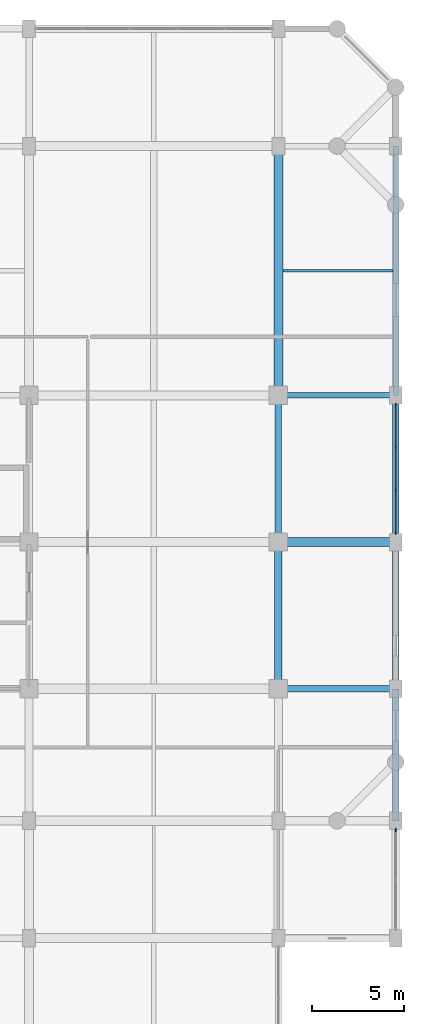
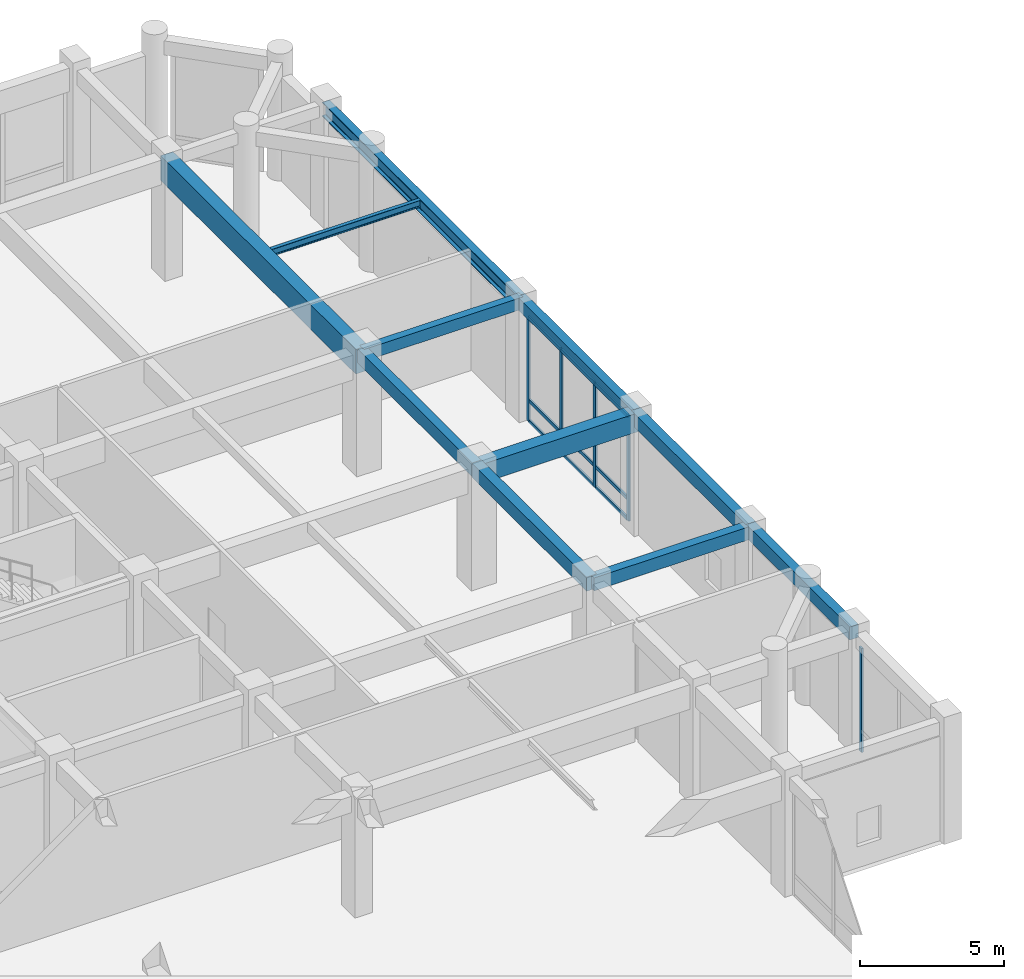
# One storey, part 16 of 36: 14 members, 11 beams, 2 elements without a shape of their own.
"""IFC4 building model written with IfcOpenShell, lengths in metres."""

from ifc_helpers import new_model, si_unit, direction, frame, origin, origin_2d, place, context, subcontext, project, spatial, rectangle, i_section, extrude, material, material_profile, profile_set, type_object, element, aggregate, save


model = new_model("IFC4")

# Units and contexts
model_context = context("Model", 3, precision=1e-05, world=origin(), true_north=direction((0.0, 1.0)))
body_context = subcontext(model_context, "Body", "Model", "MODEL_VIEW")
ifc_project = project(units=[si_unit("LENGTHUNIT", "METRE"), si_unit("AREAUNIT", "SQUARE_METRE"), si_unit("VOLUMEUNIT", "CUBIC_METRE"), si_unit("PLANEANGLEUNIT", "RADIAN"), si_unit("MASSUNIT", "GRAM", prefix="KILO")], contexts=[model_context])

# Site, building, storey
site_placement = place(None, origin())
site = spatial("IfcSite", under=ifc_project, at=site_placement, CompositionType="ELEMENT")
building_placement = place(site_placement, origin())
building = spatial("IfcBuilding", under=site, at=building_placement, Name="Vellmiral Cinema and Media Centre", CompositionType="ELEMENT")
storey_placement = place(building_placement, frame((0.0, 0.0, 5.39990234375)))
storey = spatial("IfcBuildingStorey", under=building, at=storey_placement, Name="L01", CompositionType="ELEMENT", Elevation=5.39990234375)

# Beams
ifc_material_1 = material(Name="Concrete C40/50", Category="concrete")
ifc_material_profile_1 = material_profile(ifc_material_1, rectangle(XDim=0.300048828125, YDim=0.5, at=origin_2d()), Name="RC 300x500")
ifc_profile_set_1 = profile_set([ifc_material_profile_1], Name="Concrete C40/50")
beam_type_1 = type_object("IfcBeamType", Name="BM-RC-300x500", PredefinedType="BEAM", material=ifc_profile_set_1)
beam_1_placement = place(storey_placement, frame((161.60009765625, 95.199951171875, 4.78515625), z_axis=(1.0, 0.0, 0.0), x_axis=(0.0, 1.0, 0.0)))
element("IfcBeam", 1, at=beam_1_placement, inside=storey, type_object=beam_type_1, Name="Grid Beam L01-X160", PredefinedType="BEAM", context=body_context, shape_type="SweptSolid", body=[
    extrude(rectangle(XDim=0.300048828125, YDim=0.5, at=origin_2d()), origin(), (0.0, 0.0, 1.0), 6.39990234375),
])
ifc_material_2 = material(Name="Concrete C40/50", Category="concrete")
ifc_material_profile_2 = material_profile(ifc_material_2, rectangle(XDim=0.35009765625, YDim=0.550048828125, at=origin_2d()), Name="RC 350x550")
ifc_profile_set_2 = profile_set([ifc_material_profile_2], Name="Concrete C40/50")
beam_type_2 = type_object("IfcBeamType", Name="BM-RC-350x550", PredefinedType="BEAM", material=ifc_profile_set_2)
beam_2_placement = place(storey_placement, frame((161.60009765625, 79.199951171875, 4.760009765625), z_axis=(1.0, 0.0, 0.0), x_axis=(0.0, 1.0, 0.0)))
element("IfcBeam", 2, at=beam_2_placement, inside=storey, type_object=beam_type_2, Name="Grid Beam L01-X125", PredefinedType="BEAM", context=body_context, shape_type="SweptSolid", body=[
    extrude(rectangle(XDim=0.35009765625, YDim=0.550048828125, at=origin_2d()), origin(), (0.0, 0.0, 1.0), 6.39990234375),
])
ifc_material_3 = material(Name="Concrete C40/50", Category="concrete")
ifc_material_profile_3 = material_profile(ifc_material_3, rectangle(XDim=0.35009765625, YDim=0.60009765625, at=origin_2d()), Name="RC 350x600")
ifc_profile_set_3 = profile_set([ifc_material_profile_3], Name="Concrete C40/50")
beam_type_3 = type_object("IfcBeamType", Name="BM-RC-350x600", PredefinedType="BEAM", material=ifc_profile_set_3)
beam_3_placement = place(storey_placement, frame((161.60009765625, 87.199951171875, 4.735107421875), z_axis=(0.0, 1.0, 0.0), x_axis=(-1.0, 0.0, 0.0)))
element("IfcBeam", 3, at=beam_3_placement, inside=storey, type_object=beam_type_3, Name="Grid Beam L01-Y341", PredefinedType="BEAM", context=body_context, shape_type="SweptSolid", body=[
    extrude(rectangle(XDim=0.35009765625, YDim=0.60009765625, at=origin_2d()), origin(), (0.0, 0.0, 1.0), 8.0),
])
ifc_material_4 = material(Name="Concrete C40/50", Category="concrete")
ifc_material_profile_4 = material_profile(ifc_material_4, rectangle(XDim=0.39990234375, YDim=0.60009765625, at=origin_2d()), Name="RC 400x600")
ifc_profile_set_4 = profile_set([ifc_material_profile_4], Name="Concrete C40/50")
beam_type_4 = type_object("IfcBeamType", Name="BM-RC-400x600", PredefinedType="BEAM", material=ifc_profile_set_4)
beam_4_placement = place(storey_placement, frame((161.60009765625, 79.199951171875, 4.735107421875), z_axis=(0.0, 1.0, 0.0), x_axis=(-1.0, 0.0, 0.0)))
element("IfcBeam", 4, at=beam_4_placement, inside=storey, type_object=beam_type_4, Name="Grid Beam L01-Y340", PredefinedType="BEAM", context=body_context, shape_type="SweptSolid", body=[
    extrude(rectangle(XDim=0.39990234375, YDim=0.60009765625, at=origin_2d()), origin(), (0.0, 0.0, 1.0), 8.0),
])
ifc_material_5 = material(Name="Concrete C40/50", Category="concrete")
ifc_material_profile_5 = material_profile(ifc_material_5, rectangle(XDim=0.5, YDim=0.800048828125, at=origin_2d()), Name="RC 500x800")
ifc_profile_set_5 = profile_set([ifc_material_profile_5], Name="Concrete C40/50")
beam_type_5 = type_object("IfcBeamType", Name="BM-RC-500x800", PredefinedType="BEAM", material=ifc_profile_set_5)
beam_5_placement = place(storey_placement, frame((161.60009765625, 87.199951171875, 4.635009765625), z_axis=(1.0, 0.0, 0.0), x_axis=(0.0, 1.0, 0.0)))
element("IfcBeam", 5, at=beam_5_placement, inside=storey, type_object=beam_type_5, Name="Grid Beam L01-X141", PredefinedType="BEAM", context=body_context, shape_type="SweptSolid", body=[
    extrude(rectangle(XDim=0.5, YDim=0.800048828125, at=origin_2d()), origin(), (0.0, 0.0, 1.0), 6.39990234375),
])
ifc_material_6 = material(Name="Concrete C40/50", Category="concrete")
ifc_material_profile_6 = material_profile(ifc_material_6, rectangle(XDim=0.5, YDim=1.050048828125, at=origin_2d()), Name="RC 500x1050")
ifc_profile_set_6 = profile_set([ifc_material_profile_6], Name="Concrete C40/50")
beam_type_6 = type_object("IfcBeamType", Name="BM-RCG-500x1050", PredefinedType="BEAM", material=ifc_profile_set_6)
beam_6_placement = place(storey_placement, frame((161.60009765625, 95.199951171875, 4.510009765625), z_axis=(0.0, 1.0, 0.0), x_axis=(-1.0, 0.0, 0.0)))
element("IfcBeam", 6, at=beam_6_placement, inside=storey, type_object=beam_type_6, Name="Grid Beam L01-Y342", PredefinedType="BEAM", context=body_context, shape_type="SweptSolid", body=[
    extrude(rectangle(XDim=0.5, YDim=1.050048828125, at=origin_2d()), origin(), (0.0, 0.0, 1.0), 13.60009765625),
])

# Curtain wall, member
ifc_material_7 = material(Name="Thermally Broken Aluminium and Triple Glazing", Category="aluminium")
curtain_wall_type = type_object("IfcCurtainWallType", Name="CW-LIB-BAY", PredefinedType="USERDEFINED", material=ifc_material_7)
curtain_wall_1_placement = place(storey_placement, origin())
curtain_wall_1 = element("IfcCurtainWall", 7, at=curtain_wall_1_placement, inside=storey, type_object=curtain_wall_type, Name="Curtain Wall L01-B036", ObjectType="STICK CURTAIN WALL", PredefinedType="USERDEFINED")
ifc_material_8 = material(Name="Thermally Broken Anodised Aluminium", Category="aluminium")
ifc_material_profile_7 = material_profile(ifc_material_8, rectangle(XDim=0.070068359375, YDim=0.179931640625, at=origin_2d()), Name="MULL 70x180")
ifc_profile_set_7 = profile_set([ifc_material_profile_7], Name="Thermally Broken Anodised Aluminium")
member_type_1 = type_object("IfcMemberType", Name="CWM-70x180", PredefinedType="MULLION", material=ifc_profile_set_7)
member_1_placement = place(storey_placement, frame((168.0, 71.489990234375, 0.0), z_axis=(0.0, 0.0, 1.0), x_axis=(-1.0, 0.0, 0.0)))
member_1 = element("IfcMember", 8, at=member_1_placement, type_object=member_type_1, Name="CW-03 mullion 3", PredefinedType="MULLION", context=body_context, shape_type="SweptSolid", body=[
    extrude(rectangle(XDim=0.070068359375, YDim=0.179931640625, at=origin_2d()), origin(), (0.0, 0.0, 1.0), 4.425048828125),
])
aggregate(curtain_wall_1, [member_1])

# Curtain wall, members
curtain_wall_2_placement = place(storey_placement, origin())
curtain_wall_2 = element("IfcCurtainWall", 9, at=curtain_wall_2_placement, inside=storey, type_object=curtain_wall_type, Name="Curtain Wall L01-B040", ObjectType="STICK CURTAIN WALL", PredefinedType="USERDEFINED")
member_2_placement = place(storey_placement, frame((168.0, 87.7099609375, 0.0), z_axis=(0.0, 0.0, 1.0), x_axis=(-1.0, 0.0, 0.0)))
member_2 = element("IfcMember", 10, at=member_2_placement, type_object=member_type_1, Name="CW-03 mullion 1", PredefinedType="MULLION", context=body_context, shape_type="SweptSolid", body=[
    extrude(rectangle(XDim=0.070068359375, YDim=0.179931640625, at=origin_2d()), origin(), (0.0, 0.0, 1.0), 4.440185546875),
])
member_3_placement = place(storey_placement, frame((168.0, 90.02490234375, 0.0), z_axis=(0.0, 0.0, 1.0), x_axis=(-1.0, 0.0, 0.0)))
member_3 = element("IfcMember", 11, at=member_3_placement, type_object=member_type_1, Name="CW-03 mullion 2", PredefinedType="MULLION", context=body_context, shape_type="SweptSolid", body=[
    extrude(rectangle(XDim=0.070068359375, YDim=0.179931640625, at=origin_2d()), origin(), (0.0, 0.0, 1.0), 4.440185546875),
])
member_4_placement = place(storey_placement, frame((168.0, 92.375, 0.0), z_axis=(0.0, 0.0, 1.0), x_axis=(-1.0, 0.0, 0.0)))
member_4 = element("IfcMember", 12, at=member_4_placement, type_object=member_type_1, Name="CW-03 mullion 3", PredefinedType="MULLION", context=body_context, shape_type="SweptSolid", body=[
    extrude(rectangle(XDim=0.070068359375, YDim=0.179931640625, at=origin_2d()), origin(), (0.0, 0.0, 1.0), 4.440185546875),
])
member_5_placement = place(storey_placement, frame((168.0, 94.68994140625, 0.0), z_axis=(0.0, 0.0, 1.0), x_axis=(-1.0, 0.0, 0.0)))
member_5 = element("IfcMember", 13, at=member_5_placement, type_object=member_type_1, Name="CW-03 mullion 4", PredefinedType="MULLION", context=body_context, shape_type="SweptSolid", body=[
    extrude(rectangle(XDim=0.070068359375, YDim=0.179931640625, at=origin_2d()), origin(), (0.0, 0.0, 1.0), 4.440185546875),
])
ifc_material_9 = material(Name="Thermally Broken Anodised Aluminium", Category="aluminium")
ifc_material_profile_8 = material_profile(ifc_material_9, rectangle(XDim=0.070068359375, YDim=0.14990234375, at=origin_2d()), Name="MULL 70x150")
ifc_profile_set_8 = profile_set([ifc_material_profile_8], Name="Thermally Broken Anodised Aluminium")
member_type_2 = type_object("IfcMemberType", Name="CWT-70x150", PredefinedType="USERDEFINED", material=ifc_profile_set_8)
member_6_placement = place(storey_placement, frame((168.0, 87.7451171875, 0.03515625), z_axis=(0.0, 1.0, 0.0), x_axis=(-1.0, 0.0, 0.0)))
member_6 = element("IfcMember", 14, at=member_6_placement, type_object=member_type_2, Name="CW-03 transom 1.1", ObjectType="TRANSOM", PredefinedType="USERDEFINED", context=body_context, shape_type="SweptSolid", body=[
    extrude(rectangle(XDim=0.070068359375, YDim=0.14990234375, at=origin_2d()), origin(), (0.0, 0.0, 1.0), 2.244873046875),
])
member_7_placement = place(storey_placement, frame((168.0, 87.7451171875, 0.900146484375), z_axis=(0.0, 1.0, 0.0), x_axis=(-1.0, 0.0, 0.0)))
member_7 = element("IfcMember", 15, at=member_7_placement, type_object=member_type_2, Name="CW-03 transom 1.2", ObjectType="TRANSOM", PredefinedType="USERDEFINED", context=body_context, shape_type="SweptSolid", body=[
    extrude(rectangle(XDim=0.070068359375, YDim=0.14990234375, at=origin_2d()), origin(), (0.0, 0.0, 1.0), 2.244873046875),
])
member_8_placement = place(storey_placement, frame((168.0, 87.7451171875, 4.405029296875), z_axis=(0.0, 1.0, 0.0), x_axis=(-1.0, 0.0, 0.0)))
member_8 = element("IfcMember", 16, at=member_8_placement, type_object=member_type_2, Name="CW-03 transom 1.3", ObjectType="TRANSOM", PredefinedType="USERDEFINED", context=body_context, shape_type="SweptSolid", body=[
    extrude(rectangle(XDim=0.070068359375, YDim=0.14990234375, at=origin_2d()), origin(), (0.0, 0.0, 1.0), 2.244873046875),
])
member_9_placement = place(storey_placement, frame((168.0, 90.06005859375, 0.03515625), z_axis=(0.0, 1.0, 0.0), x_axis=(-1.0, 0.0, 0.0)))
member_9 = element("IfcMember", 17, at=member_9_placement, type_object=member_type_2, Name="CW-03 transom 2.1", ObjectType="TRANSOM", PredefinedType="USERDEFINED", context=body_context, shape_type="SweptSolid", body=[
    extrude(rectangle(XDim=0.070068359375, YDim=0.14990234375, at=origin_2d()), origin(), (0.0, 0.0, 1.0), 2.280029296875),
])
member_10_placement = place(storey_placement, frame((168.0, 90.06005859375, 0.900146484375), z_axis=(0.0, 1.0, 0.0), x_axis=(-1.0, 0.0, 0.0)))
member_10 = element("IfcMember", 18, at=member_10_placement, type_object=member_type_2, Name="CW-03 transom 2.2", ObjectType="TRANSOM", PredefinedType="USERDEFINED", context=body_context, shape_type="SweptSolid", body=[
    extrude(rectangle(XDim=0.070068359375, YDim=0.14990234375, at=origin_2d()), origin(), (0.0, 0.0, 1.0), 2.280029296875),
])
member_11_placement = place(storey_placement, frame((168.0, 90.06005859375, 4.405029296875), z_axis=(0.0, 1.0, 0.0), x_axis=(-1.0, 0.0, 0.0)))
member_11 = element("IfcMember", 19, at=member_11_placement, type_object=member_type_2, Name="CW-03 transom 2.3", ObjectType="TRANSOM", PredefinedType="USERDEFINED", context=body_context, shape_type="SweptSolid", body=[
    extrude(rectangle(XDim=0.070068359375, YDim=0.14990234375, at=origin_2d()), origin(), (0.0, 0.0, 1.0), 2.280029296875),
])
member_12_placement = place(storey_placement, frame((168.0, 92.409912109375, 0.03515625), z_axis=(0.0, 1.0, 0.0), x_axis=(-1.0, 0.0, 0.0)))
member_12 = element("IfcMember", 20, at=member_12_placement, type_object=member_type_2, Name="CW-03 transom 3.1", ObjectType="TRANSOM", PredefinedType="USERDEFINED", context=body_context, shape_type="SweptSolid", body=[
    extrude(rectangle(XDim=0.070068359375, YDim=0.14990234375, at=origin_2d()), origin(), (0.0, 0.0, 1.0), 2.2451171875),
])
member_13_placement = place(storey_placement, frame((168.0, 92.409912109375, 0.900146484375), z_axis=(0.0, 1.0, 0.0), x_axis=(-1.0, 0.0, 0.0)))
member_13 = element("IfcMember", 21, at=member_13_placement, type_object=member_type_2, Name="CW-03 transom 3.2", ObjectType="TRANSOM", PredefinedType="USERDEFINED", context=body_context, shape_type="SweptSolid", body=[
    extrude(rectangle(XDim=0.070068359375, YDim=0.14990234375, at=origin_2d()), origin(), (0.0, 0.0, 1.0), 2.2451171875),
])
member_14_placement = place(storey_placement, frame((168.0, 92.409912109375, 4.405029296875), z_axis=(0.0, 1.0, 0.0), x_axis=(-1.0, 0.0, 0.0)))
member_14 = element("IfcMember", 22, at=member_14_placement, type_object=member_type_2, Name="CW-03 transom 3.3", ObjectType="TRANSOM", PredefinedType="USERDEFINED", context=body_context, shape_type="SweptSolid", body=[
    extrude(rectangle(XDim=0.070068359375, YDim=0.14990234375, at=origin_2d()), origin(), (0.0, 0.0, 1.0), 2.2451171875),
])
aggregate(curtain_wall_2, [member_2, member_3, member_4, member_5, member_6, member_7, member_8, member_9, member_10, member_11, member_12, member_13, member_14])

# Beams
ifc_material_10 = material(Name="Steel S355", Category="steel")
ifc_material_profile_9 = material_profile(ifc_material_10, i_section(OverallWidth=0.300048828125, OverallDepth=0.60009765625, WebThickness=0.015380859375, FlangeThickness=0.030029296875, FilletRadius=0.027099609375, at=origin_2d()), Name="HEB 600")
ifc_profile_set_9 = profile_set([ifc_material_profile_9], Name="Steel S355")
beam_type_7 = type_object("IfcBeamType", Name="SBM-HEB600-SPD", PredefinedType="SPANDREL", material=ifc_profile_set_9)
beam_7_placement = place(storey_placement, frame((168.0, 95.199951171875, 4.735107421875), z_axis=(0.0, 1.0, 0.0), x_axis=(-1.0, 0.0, 0.0)))
element("IfcBeam", 23, at=beam_7_placement, inside=storey, type_object=beam_type_7, Name="Grid Beam L01-Y348", PredefinedType="SPANDREL", context=body_context, shape_type="SweptSolid", body=[
    extrude(i_section(OverallWidth=0.300048828125, OverallDepth=0.60009765625, WebThickness=0.015380859375, FlangeThickness=0.030029296875, FilletRadius=0.027099609375, at=origin_2d()), origin(), (0.0, 0.0, 1.0), 13.60009765625),
])
ifc_material_11 = material(Name="Steel S355", Category="steel")
ifc_material_profile_10 = material_profile(ifc_material_11, i_section(OverallWidth=0.14990234375, OverallDepth=0.300048828125, WebThickness=0.007080078125, FlangeThickness=0.0107421875, FilletRadius=0.014892578125, at=origin_2d()), Name="IPE 300")
ifc_profile_set_10 = profile_set([ifc_material_profile_10], Name="Steel S355")
beam_type_8 = type_object("IfcBeamType", Name="SBM-IPE300", PredefinedType="JOIST", material=ifc_profile_set_10)
beam_8_placement = place(storey_placement, frame((161.85009765625, 102.0, 4.885009765625), z_axis=(1.0, 0.0, 0.0), x_axis=(0.0, 1.0, 0.0)))
element("IfcBeam", 24, at=beam_8_placement, inside=storey, type_object=beam_type_8, Name="Secondary Floor Joist L01-033", PredefinedType="JOIST", context=body_context, shape_type="SweptSolid", body=[
    extrude(i_section(OverallWidth=0.14990234375, OverallDepth=0.300048828125, WebThickness=0.007080078125, FlangeThickness=0.0107421875, FilletRadius=0.014892578125, at=origin_2d()), origin(), (0.0, 0.0, 1.0), 6.0),
])
ifc_material_12 = material(Name="Concrete C40/50", Category="concrete")
ifc_material_profile_11 = material_profile(ifc_material_12, rectangle(XDim=0.35009765625, YDim=0.56005859375, at=origin_2d()), Name="RC 350x560")
ifc_profile_set_11 = profile_set([ifc_material_profile_11], Name="Concrete C40/50")
beam_type_9 = type_object("IfcBeamType", Name="SPD-RC-350x560", PredefinedType="SPANDREL", material=ifc_profile_set_11)
beam_9_placement = place(storey_placement, frame((168.0, 72.0, 4.755126953125), z_axis=(0.0, 1.0, 0.0), x_axis=(-1.0, 0.0, 0.0)))
element("IfcBeam", 25, at=beam_9_placement, inside=storey, type_object=beam_type_9, Name="Grid Beam L01-Y345", PredefinedType="SPANDREL", context=body_context, shape_type="SweptSolid", body=[
    extrude(rectangle(XDim=0.35009765625, YDim=0.56005859375, at=origin_2d()), origin(), (0.0, 0.0, 1.0), 7.199951171875),
])
ifc_material_13 = material(Name="Vosges Red Sandstone Masonry", Category="masonry")
ifc_material_profile_12 = material_profile(ifc_material_13, rectangle(XDim=0.340087890625, YDim=0.52001953125, at=origin_2d()), Name="SAND 340x520")
ifc_profile_set_12 = profile_set([ifc_material_profile_12], Name="Vosges Red Sandstone Masonry")
beam_type_10 = type_object("IfcBeamType", Name="SPD-SAND-340x520", PredefinedType="SPANDREL", material=ifc_profile_set_12)
beam_10_placement = place(storey_placement, frame((168.0, 87.199951171875, 4.775146484375), z_axis=(0.0, 1.0, 0.0), x_axis=(-1.0, 0.0, 0.0)))
element("IfcBeam", 26, at=beam_10_placement, inside=storey, type_object=beam_type_10, Name="Grid Beam L01-Y347", PredefinedType="SPANDREL", context=body_context, shape_type="SweptSolid", body=[
    extrude(rectangle(XDim=0.340087890625, YDim=0.52001953125, at=origin_2d()), origin(), (0.0, 0.0, 1.0), 8.0),
])
ifc_material_14 = material(Name="Vosges Red Sandstone Masonry", Category="masonry")
ifc_material_profile_13 = material_profile(ifc_material_14, rectangle(XDim=0.3798828125, YDim=0.580078125, at=origin_2d()), Name="SAND 380x580")
ifc_profile_set_13 = profile_set([ifc_material_profile_13], Name="Vosges Red Sandstone Masonry")
beam_type_11 = type_object("IfcBeamType", Name="SPD-SAND-380x580", PredefinedType="SPANDREL", material=ifc_profile_set_13)
beam_11_placement = place(storey_placement, frame((168.0, 79.199951171875, 4.7451171875), z_axis=(0.0, 1.0, 0.0), x_axis=(-1.0, 0.0, 0.0)))
element("IfcBeam", 27, at=beam_11_placement, inside=storey, type_object=beam_type_11, Name="Grid Beam L01-Y346", PredefinedType="SPANDREL", context=body_context, shape_type="SweptSolid", body=[
    extrude(rectangle(XDim=0.3798828125, YDim=0.580078125, at=origin_2d()), origin(), (0.0, 0.0, 1.0), 8.0),
])

save(model, "model.ifc")
